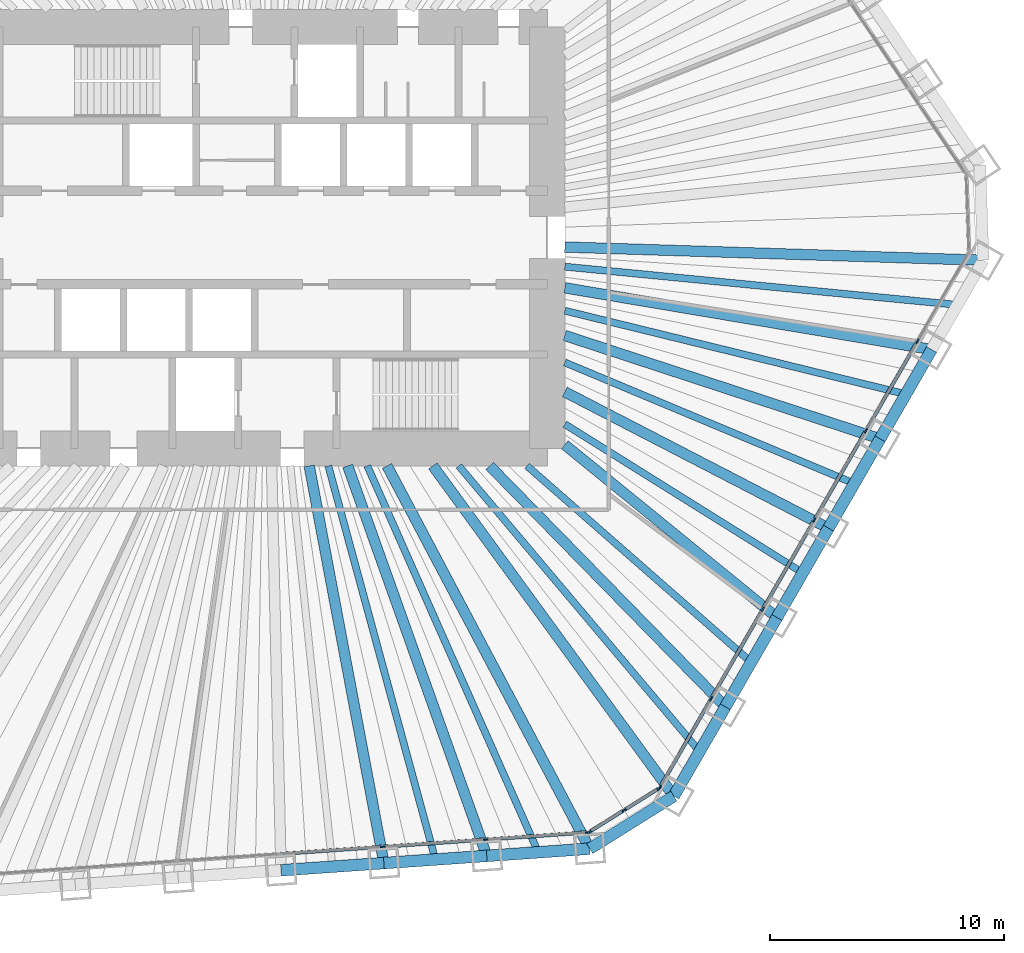
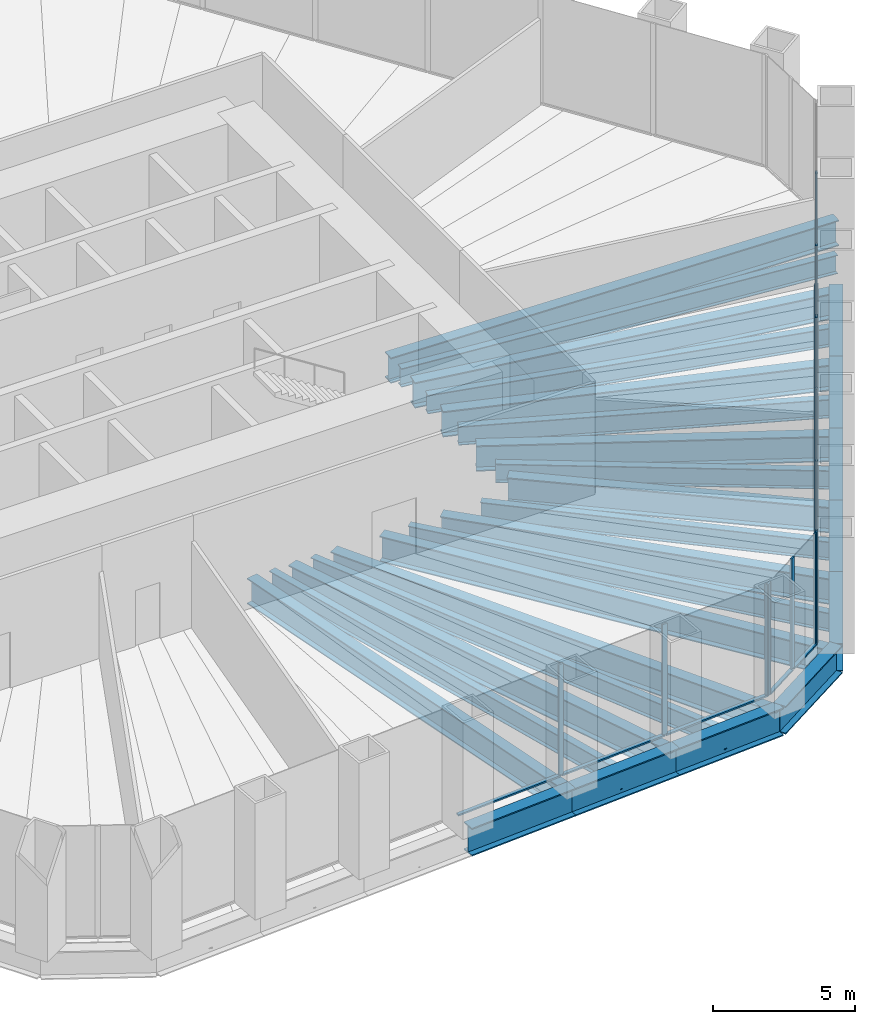
# One storey, part 4 of 13: 27 beams, 22 members, 3 elements without a shape of their own.
"""IFC4 building model written with IfcOpenShell, lengths in metres."""

import ifcopenshell
import ifcopenshell.guid

model = None  # the IFC model being written
_history = None  # IfcOwnerHistory: only IFC2X3 demands one
_inside = {}  # id of a spatial element -> (the spatial element, [elements in it])
_under = {}  # id of a project, library or spatial element -> (it, [spatial elements below it])
_declared = {}  # id of a project -> (the project, [libraries it declares])
_typed = {}  # id of a type object -> (the type object, [elements of that type])
_made_of = {}  # id of a material, layer set ... -> (it, [elements and type objects made of it])


def new_model(schema):
    """Start an empty IFC model of exactly this schema.

    Asked for "IFC4X3", IfcOpenShell would pick the latest addendum, in which some entities
    have other attributes; the version numbers below select the first issue.
    IFC2X3 requires an IfcOwnerHistory on every rooted entity: one is made here for all.
    """
    global model, _history
    if schema == "IFC4X3":
        model = ifcopenshell.file(schema_version=(4, 3, 0, 0))
    else:
        model = ifcopenshell.file(schema=schema)
    _inside.clear()
    _under.clear()
    _declared.clear()
    _typed.clear()
    _made_of.clear()
    _history = None
    if model.schema == "IFC2X3":
        org = make("IfcOrganization", Name="unknown")
        user = make(
            "IfcPersonAndOrganization",
            ThePerson=make("IfcPerson", FamilyName="unknown"),
            TheOrganization=org,
        )
        app = make(
            "IfcApplication",
            ApplicationDeveloper=org,
            Version="unknown",
            ApplicationFullName="unknown",
            ApplicationIdentifier="unknown",
        )
        _history = make(
            "IfcOwnerHistory",
            OwningUser=user,
            OwningApplication=app,
            ChangeAction="ADDED",
            CreationDate=0,
        )
    return model


def make(cls, **values):
    """One entity of the class cls with the attributes given. An attribute that is None is left unset."""
    return model.create_entity(
        cls, **{name: value for name, value in values.items() if value is not None}
    )


def rooted(cls, **values):
    """An entity with a GlobalId (a new one), such as an element, a storey or a relation."""
    return make(cls, GlobalId=ifcopenshell.guid.new(), OwnerHistory=_history, **values)


def si_unit(unit_type, name, prefix=None):
    """IfcSIUnit, for example si_unit("LENGTHUNIT", "METRE", prefix="MILLI")."""
    return make("IfcSIUnit", UnitType=unit_type, Prefix=prefix, Name=name)


def assignment(units):
    """IfcUnitAssignment: the units of a project."""
    return None if units is None else make("IfcUnitAssignment", Units=units)


def point(xyz):
    """IfcCartesianPoint."""
    return None if xyz is None else make("IfcCartesianPoint", Coordinates=xyz)


def direction(xyz):
    """IfcDirection."""
    return None if xyz is None else make("IfcDirection", DirectionRatios=xyz)


def frame(location, z_axis=None, x_axis=None):
    """IfcAxis2Placement3D, a coordinate frame: its origin and axes. An axis left out is left unset."""
    return make(
        "IfcAxis2Placement3D",
        Location=point(location),
        Axis=direction(z_axis),
        RefDirection=direction(x_axis),
    )


def frame_2d(location, x_axis=None):
    """IfcAxis2Placement2D, a coordinate frame in the plane: its origin and x axis."""
    return make(
        "IfcAxis2Placement2D", Location=point(location), RefDirection=direction(x_axis)
    )


def origin():
    """The frame at (0, 0, 0) with its axes left unset."""
    return frame((0.0, 0.0, 0.0))


def origin_2d():
    """The frame at (0, 0) in the plane with its x axis left unset."""
    return frame_2d((0.0, 0.0))


def place(relative_to, where):
    """IfcLocalPlacement: puts the frame where relative to a parent placement (None: the world)."""
    return make(
        "IfcLocalPlacement", PlacementRelTo=relative_to, RelativePlacement=where
    )


def context(
    kind, dimensions, precision=None, world=None, true_north=None, identifier=None
):
    """IfcGeometricRepresentationContext, for example the 3D "Model" context."""
    return make(
        "IfcGeometricRepresentationContext",
        ContextIdentifier=identifier,
        ContextType=kind,
        CoordinateSpaceDimension=dimensions,
        Precision=precision,
        WorldCoordinateSystem=world,
        TrueNorth=true_north,
    )


def subcontext(parent, identifier, kind, view, scale=None):
    """IfcGeometricRepresentationSubContext, for example "Body" below "Model"."""
    return make(
        "IfcGeometricRepresentationSubContext",
        ContextIdentifier=identifier,
        ContextType=kind,
        ParentContext=parent,
        TargetScale=scale,
        TargetView=view,
    )


def project(units=None, contexts=None):
    """IfcProject with its units and contexts."""
    return rooted(
        "IfcProject",
        Name="project",
        RepresentationContexts=contexts,
        UnitsInContext=assignment(units),
    )


def spatial(cls, under=None, at=None, **own):
    """A site, building, storey or space (cls), placed at a placement, below another one or the project."""
    s = rooted(cls, ObjectPlacement=at, **own)
    if under is not None:
        _under.setdefault(under.id(), (under, []))[1].append(s)
    return s


def profile(cls, at=None, kind="AREA", **sizes):
    """A parametric profile (cls). Its sizes go by their IFC names, for example OverallWidth=200.0."""
    return make(cls, ProfileType=kind, Position=at, **sizes)


def rectangle(**sizes):
    """IfcRectangleProfileDef."""
    return profile("IfcRectangleProfileDef", **sizes)


def i_section(**sizes):
    """IfcIShapeProfileDef."""
    return profile("IfcIShapeProfileDef", **sizes)


def extrude(swept, where, along, depth):
    """IfcExtrudedAreaSolid: the profile swept, set in the frame where, extruded along a direction by depth."""
    return make(
        "IfcExtrudedAreaSolid",
        SweptArea=swept,
        Position=where,
        ExtrudedDirection=direction(along),
        Depth=depth,
    )


def shape(context_of_items, identifier, shape_type, items):
    """IfcShapeRepresentation: the items that make up one representation, for example the "Body"."""
    return make(
        "IfcShapeRepresentation",
        ContextOfItems=context_of_items,
        RepresentationIdentifier=identifier,
        RepresentationType=shape_type,
        Items=items,
    )


def material(Name=None, Category=None):
    """IfcMaterial."""
    return make("IfcMaterial", Name=Name, Category=Category)


def material_profile(
    of_material, cross_section, Name=None, Category=None, Priority=None
):
    """IfcMaterialProfile: a cross section and its material."""
    return make(
        "IfcMaterialProfile",
        Name=Name,
        Material=of_material,
        Profile=cross_section,
        Priority=Priority,
        Category=Category,
    )


def profile_set(profiles, Name=None, composite=None):
    """IfcMaterialProfileSet."""
    return make(
        "IfcMaterialProfileSet",
        Name=Name,
        MaterialProfiles=profiles,
        CompositeProfile=composite,
    )


def made_of(thing, what):
    """Note that an element or type object is made of a material, layer set ...; save() writes the relation."""
    if what is not None:
        _made_of.setdefault(what.id(), (what, []))[1].append(thing)
    return thing


def type_object(cls, material=None, **own):
    """A type object (cls), such as IfcWallType, which elements share."""
    return made_of(rooted(cls, **own), material)


def element(
    cls,
    number,
    at=None,
    inside=None,
    cuts=None,
    type_object=None,
    material=None,
    context=None,
    identifier="Body",
    shape_type=None,
    held_by="IfcProductDefinitionShape",
    body=None,
    shapes=None,
    **own,
):
    """One element of the class cls, such as IfcWall. Its Tag is "e" and its number.

    at: its placement. inside: the storey or other place that contains it. cuts: it is an
    opening in that element (IfcRelVoidsElement). A single representation is given by context,
    identifier, shape_type and body (its items); several are given by shapes. held_by: the class
    of the entity that holds the representations. save() writes the other relations.
    """
    e = rooted(cls, Tag="e%d" % number, ObjectPlacement=at, **own)
    if body is not None:
        shapes = [shape(context, identifier, shape_type, body)]
    if shapes is not None:
        e.Representation = make(held_by, Representations=shapes)
    if inside is not None:
        _inside.setdefault(inside.id(), (inside, []))[1].append(e)
    if cuts is not None:
        rooted(
            "IfcRelVoidsElement", RelatingBuildingElement=cuts, RelatedOpeningElement=e
        )
    if type_object is not None:
        _typed.setdefault(type_object.id(), (type_object, []))[1].append(e)
    return made_of(e, material)


def aggregate(whole, parts):
    """IfcRelAggregates: a whole, such as a stair, and the parts it consists of."""
    return rooted("IfcRelAggregates", RelatingObject=whole, RelatedObjects=parts)


def save(model, path):
    """Write the relations noted so far, then the file.

    IfcRelAggregates (storeys below a building ...), IfcRelContainedInSpatialStructure (elements
    in a storey), IfcRelDefinesByType, IfcRelAssociatesMaterial and IfcRelDeclares: one each for
    every whole, place, type object, material and project.
    """
    for whole, parts in _under.values():
        aggregate(whole, parts)
    for where, things in _inside.values():
        rooted(
            "IfcRelContainedInSpatialStructure",
            RelatedElements=things,
            RelatingStructure=where,
        )
    for kind, things in _typed.values():
        rooted("IfcRelDefinesByType", RelatedObjects=things, RelatingType=kind)
    for what, things in _made_of.values():
        rooted("IfcRelAssociatesMaterial", RelatedObjects=things, RelatingMaterial=what)
    for by, libraries in _declared.values():
        rooted("IfcRelDeclares", RelatingContext=by, RelatedDefinitions=libraries)
    model.write(path)


model = new_model("IFC4")

# Units and contexts
model_context = context("Model", 3, precision=1e-05, world=origin(), true_north=direction((0.0, 1.0)))
body_context = subcontext(model_context, "Body", "Model", "MODEL_VIEW")
ifc_project = project(units=[si_unit("LENGTHUNIT", "METRE"), si_unit("AREAUNIT", "SQUARE_METRE"), si_unit("VOLUMEUNIT", "CUBIC_METRE"), si_unit("PLANEANGLEUNIT", "RADIAN"), si_unit("MASSUNIT", "GRAM", prefix="KILO")], contexts=[model_context])

# Site, building, storey
site_placement = place(None, origin())
site = spatial("IfcSite", under=ifc_project, at=site_placement, CompositionType="ELEMENT")
building_placement = place(site_placement, origin())
building = spatial("IfcBuilding", under=site, at=building_placement, Name="Qingtian Harvest Tower", CompositionType="ELEMENT")
storey_placement = place(building_placement, frame((0.0, 0.0, 37.0)))
storey = spatial("IfcBuildingStorey", under=building, at=storey_placement, Name="L07", CompositionType="ELEMENT", Elevation=37.0)

# Beams
ifc_material_1 = material(Name="Steel SM570MC", Category="steel")
ifc_material_profile_1 = material_profile(ifc_material_1, i_section(OverallWidth=0.449951171875, OverallDepth=1.10009765625, WebThickness=0.02197265625, FlangeThickness=0.044921875, at=origin_2d()), Name="H1100x450x22x45")
ifc_profile_set_1 = profile_set([ifc_material_profile_1], Name="Steel SM570MC")
beam_type_1 = type_object("IfcBeamType", Name="Corner floor beam FB8 H1100x450x22x45", PredefinedType="BEAM", material=ifc_profile_set_1)
beam_1_placement = place(storey_placement, frame((30.618408203125, -0.96728515625, -0.75), z_axis=(-0.999501426546, 0.031573696842, 0.0), x_axis=(-0.031573696842, -0.999501426546, 0.0)))
element("IfcBeam", 1, at=beam_1_placement, inside=storey, type_object=beam_type_1, Name="Floor beam FB8 SE0", PredefinedType="BEAM", context=body_context, shape_type="SweptSolid", body=[
    extrude(i_section(OverallWidth=0.449951171875, OverallDepth=1.10009765625, WebThickness=0.02197265625, FlangeThickness=0.044921875, at=origin_2d()), origin(), (0.0, 0.0, 1.0), 17.87744140625),
])
beam_2_placement = place(storey_placement, frame((17.404541015625, -23.854248046875, -0.75), z_axis=(-0.58941234871, 0.807832336062, 0.0), x_axis=(-0.807832336062, -0.58941234871, 0.0)))
element("IfcBeam", 2, at=beam_2_placement, inside=storey, type_object=beam_type_1, Name="Floor beam FB8 SE6", PredefinedType="BEAM", context=body_context, shape_type="SweptSolid", body=[
    extrude(i_section(OverallWidth=0.449951171875, OverallDepth=1.10009765625, WebThickness=0.02197265625, FlangeThickness=0.044921875, at=origin_2d()), origin(), (0.0, 0.0, 1.0), 17.45947265625),
])
beam_3_placement = place(storey_placement, frame((13.810546875, -26.10009765625, -0.75), z_axis=(-0.467705182679, 0.883884529843, 0.0), x_axis=(-0.883884529843, -0.467705182679, 0.0)))
element("IfcBeam", 3, at=beam_3_placement, inside=storey, type_object=beam_type_1, Name="Floor beam FB8 S0", PredefinedType="BEAM", context=body_context, shape_type="SweptSolid", body=[
    extrude(i_section(OverallWidth=0.449951171875, OverallDepth=1.10009765625, WebThickness=0.02197265625, FlangeThickness=0.044921875, at=origin_2d()), origin(), (0.0, 0.0, 1.0), 18.498046875),
])
ifc_material_2 = material(Name="Steel SM570MC", Category="steel")
ifc_material_profile_2 = material_profile(ifc_material_2, i_section(OverallWidth=0.449951171875, OverallDepth=1.10009765625, WebThickness=0.02197265625, FlangeThickness=0.044921875, at=origin_2d()), Name="H1100x450x22x45")
ifc_profile_set_2 = profile_set([ifc_material_profile_2], Name="Steel SM570MC")
beam_type_2 = type_object("IfcBeamType", Name="Floor beam FB1 H1100x450x22x45", PredefinedType="BEAM", material=ifc_profile_set_2)
beam_4_placement = place(storey_placement, frame((28.416015625, -4.78173828125, -0.75), z_axis=(-0.986135195489, 0.16594389479, 0.0), x_axis=(-0.16594389479, -0.986135195489, 0.0)))
element("IfcBeam", 4, at=beam_4_placement, inside=storey, type_object=beam_type_2, Name="Floor beam FB1 SE1", PredefinedType="BEAM", context=body_context, shape_type="SweptSolid", body=[
    extrude(i_section(OverallWidth=0.449951171875, OverallDepth=1.10009765625, WebThickness=0.02197265625, FlangeThickness=0.044921875, at=origin_2d()), origin(), (0.0, 0.0, 1.0), 15.88623046875),
])
beam_5_placement = place(storey_placement, frame((26.2138671875, -8.596435546875, -0.75), z_axis=(-0.950210724421, 0.311608053803, 0.0), x_axis=(-0.311608053803, -0.950210724421, 0.0)))
element("IfcBeam", 5, at=beam_5_placement, inside=storey, type_object=beam_type_2, Name="Floor beam FB1 SE2", PredefinedType="BEAM", context=body_context, shape_type="SweptSolid", body=[
    extrude(i_section(OverallWidth=0.449951171875, OverallDepth=1.10009765625, WebThickness=0.02197265625, FlangeThickness=0.044921875, at=origin_2d()), origin(), (0.0, 0.0, 1.0), 14.16943359375),
])
beam_6_placement = place(storey_placement, frame((24.011474609375, -12.410888671875, -0.75), z_axis=(-0.888349581519, 0.45916774823, 0.0), x_axis=(-0.45916774823, -0.888349581519, 0.0)))
element("IfcBeam", 6, at=beam_6_placement, inside=storey, type_object=beam_type_2, Name="Floor beam FB1 SE3", PredefinedType="BEAM", context=body_context, shape_type="SweptSolid", body=[
    extrude(i_section(OverallWidth=0.449951171875, OverallDepth=1.10009765625, WebThickness=0.02197265625, FlangeThickness=0.044921875, at=origin_2d()), origin(), (0.0, 0.0, 1.0), 12.6767578125),
])
beam_7_placement = place(storey_placement, frame((21.809326171875, -16.225341796875, -0.75), z_axis=(-0.775504415669, 0.631342142802, 0.0), x_axis=(-0.631342142802, -0.775504415669, 0.0)))
element("IfcBeam", 7, at=beam_7_placement, inside=storey, type_object=beam_type_2, Name="Floor beam FB1 SE4", PredefinedType="BEAM", context=body_context, shape_type="SweptSolid", body=[
    extrude(i_section(OverallWidth=0.449951171875, OverallDepth=1.10009765625, WebThickness=0.02197265625, FlangeThickness=0.044921875, at=origin_2d()), origin(), (0.0, 0.0, 1.0), 11.681884765625),
])
beam_8_placement = place(storey_placement, frame((19.60693359375, -20.039794921875, -0.75), z_axis=(-0.699348221539, 0.714781130858, 0.0), x_axis=(-0.714781130858, -0.699348221539, 0.0)))
element("IfcBeam", 8, at=beam_8_placement, inside=storey, type_object=beam_type_2, Name="Floor beam FB1 SE5", PredefinedType="BEAM", context=body_context, shape_type="SweptSolid", body=[
    extrude(i_section(OverallWidth=0.449951171875, OverallDepth=1.10009765625, WebThickness=0.02197265625, FlangeThickness=0.044921875, at=origin_2d()), origin(), (0.0, 0.0, 1.0), 14.395751953125),
])
beam_9_placement = place(storey_placement, frame((9.41650390625, -26.407470703125, -0.75), z_axis=(-0.33586498155, 0.941910141239, 0.0), x_axis=(-0.941910141239, -0.33586498155, 0.0)))
element("IfcBeam", 9, at=beam_9_placement, inside=storey, type_object=beam_type_2, Name="Floor beam FB1 S1", PredefinedType="BEAM", context=body_context, shape_type="SweptSolid", body=[
    extrude(i_section(OverallWidth=0.449951171875, OverallDepth=1.10009765625, WebThickness=0.02197265625, FlangeThickness=0.044921875, at=origin_2d()), origin(), (0.0, 0.0, 1.0), 17.684814453125),
])
beam_10_placement = place(storey_placement, frame((5.022705078125, -26.714599609375, -0.75), z_axis=(-0.184782942099, 0.98277935688, 0.0), x_axis=(-0.98277935688, -0.184782942099, 0.0)))
element("IfcBeam", 10, at=beam_10_placement, inside=storey, type_object=beam_type_2, Name="Floor beam FB1 S2", PredefinedType="BEAM", context=body_context, shape_type="SweptSolid", body=[
    extrude(i_section(OverallWidth=0.449951171875, OverallDepth=1.10009765625, WebThickness=0.02197265625, FlangeThickness=0.044921875, at=origin_2d()), origin(), (0.0, 0.0, 1.0), 17.261962890625),
])
ifc_material_3 = material(Name="Steel SN490B", Category="steel")
ifc_material_profile_3 = material_profile(ifc_material_3, i_section(OverallWidth=0.300048828125, OverallDepth=0.800048828125, WebThickness=0.013916015625, FlangeThickness=0.02587890625, at=origin_2d()), Name="H800x300x14x26")
ifc_profile_set_3 = profile_set([ifc_material_profile_3], Name="Steel SN490B")
beam_type_3 = type_object("IfcBeamType", Name="Floor joist J1 H800x300x14x26", PredefinedType="JOIST", material=ifc_profile_set_3)
beam_11_placement = place(storey_placement, frame((29.517333984375, -2.87451171875, -0.60009765625), z_axis=(-0.995291970786, 0.096922097011, 0.0), x_axis=(-0.096922097011, -0.995291970786, 0.0)))
element("IfcBeam", 11, at=beam_11_placement, inside=storey, type_object=beam_type_3, Name="Floor joist J1 SE0", PredefinedType="JOIST", context=body_context, shape_type="SweptSolid", body=[
    extrude(i_section(OverallWidth=0.300048828125, OverallDepth=0.800048828125, WebThickness=0.013916015625, FlangeThickness=0.02587890625, at=origin_2d()), origin(), (0.0, 0.0, 1.0), 16.8466796875),
])
beam_12_placement = place(storey_placement, frame((27.31494140625, -6.68896484375, -0.60009765625), z_axis=(-0.971301533706, 0.237851488583, 0.0), x_axis=(-0.237851488583, -0.971301533706, 0.0)))
element("IfcBeam", 12, at=beam_12_placement, inside=storey, type_object=beam_type_3, Name="Floor joist J1 SE1", PredefinedType="JOIST", context=body_context, shape_type="SweptSolid", body=[
    extrude(i_section(OverallWidth=0.300048828125, OverallDepth=0.800048828125, WebThickness=0.013916015625, FlangeThickness=0.02587890625, at=origin_2d()), origin(), (0.0, 0.0, 1.0), 14.995361328125),
])
beam_13_placement = place(storey_placement, frame((25.112548828125, -10.503662109375, -0.60009765625), z_axis=(-0.922550516103, 0.385876334125, 0.0), x_axis=(-0.385876334125, -0.922550516103, 0.0)))
element("IfcBeam", 13, at=beam_13_placement, inside=storey, type_object=beam_type_3, Name="Floor joist J1 SE2", PredefinedType="JOIST", context=body_context, shape_type="SweptSolid", body=[
    extrude(i_section(OverallWidth=0.300048828125, OverallDepth=0.800048828125, WebThickness=0.013916015625, FlangeThickness=0.02587890625, at=origin_2d()), origin(), (0.0, 0.0, 1.0), 13.400390625),
])
beam_14_placement = place(storey_placement, frame((22.910400390625, -14.318115234375, -0.60009765625), z_axis=(-0.848013185461, 0.52997512893, 0.0), x_axis=(-0.52997512893, -0.848013185461, 0.0)))
element("IfcBeam", 14, at=beam_14_placement, inside=storey, type_object=beam_type_3, Name="Floor joist J1 SE3", PredefinedType="JOIST", context=body_context, shape_type="SweptSolid", body=[
    extrude(i_section(OverallWidth=0.300048828125, OverallDepth=0.800048828125, WebThickness=0.013916015625, FlangeThickness=0.02587890625, at=origin_2d()), origin(), (0.0, 0.0, 1.0), 11.9814453125),
])
beam_15_placement = place(storey_placement, frame((20.7080078125, -18.132568359375, -0.60009765625), z_axis=(-0.75234369212, 0.658770801514, 0.0), x_axis=(-0.658770801514, -0.75234369212, 0.0)))
element("IfcBeam", 15, at=beam_15_placement, inside=storey, type_object=beam_type_3, Name="Floor joist J1 SE4", PredefinedType="JOIST", context=body_context, shape_type="SweptSolid", body=[
    extrude(i_section(OverallWidth=0.300048828125, OverallDepth=0.800048828125, WebThickness=0.013916015625, FlangeThickness=0.02587890625, at=origin_2d()), origin(), (0.0, 0.0, 1.0), 12.724609375),
])
beam_16_placement = place(storey_placement, frame((18.505859375, -21.947021484375, -0.60009765625), z_axis=(-0.644630398038, 0.76449437534, 0.0), x_axis=(-0.76449437534, -0.644630398038, 0.0)))
element("IfcBeam", 16, at=beam_16_placement, inside=storey, type_object=beam_type_3, Name="Floor joist J1 SE5", PredefinedType="JOIST", context=body_context, shape_type="SweptSolid", body=[
    extrude(i_section(OverallWidth=0.300048828125, OverallDepth=0.800048828125, WebThickness=0.013916015625, FlangeThickness=0.02587890625, at=origin_2d()), origin(), (0.0, 0.0, 1.0), 15.954345703125),
])
beam_17_placement = place(storey_placement, frame((11.613525390625, -26.25390625, -0.60009765625), z_axis=(-0.404539958959, 0.914520323233, 0.0), x_axis=(-0.914520323233, -0.404539958959, 0.0)))
element("IfcBeam", 17, at=beam_17_placement, inside=storey, type_object=beam_type_3, Name="Floor joist J1 S0", PredefinedType="JOIST", context=body_context, shape_type="SweptSolid", body=[
    extrude(i_section(OverallWidth=0.300048828125, OverallDepth=0.800048828125, WebThickness=0.013916015625, FlangeThickness=0.02587890625, at=origin_2d()), origin(), (0.0, 0.0, 1.0), 18.046630859375),
])
beam_18_placement = place(storey_placement, frame((7.2197265625, -26.56103515625, -0.60009765625), z_axis=(-0.262302659247, 0.964985655309, 0.0), x_axis=(-0.964985655309, -0.262302659247, 0.0)))
element("IfcBeam", 18, at=beam_18_placement, inside=storey, type_object=beam_type_3, Name="Floor joist J1 S1", PredefinedType="JOIST", context=body_context, shape_type="SweptSolid", body=[
    extrude(i_section(OverallWidth=0.300048828125, OverallDepth=0.800048828125, WebThickness=0.013916015625, FlangeThickness=0.02587890625, at=origin_2d()), origin(), (0.0, 0.0, 1.0), 17.421142578125),
])

# Curtain wall, members
ifc_material_4 = material(Name="Bronze-anodised aluminium curtain wall", Category="aluminium")
curtain_wall_type = type_object("IfcCurtainWallType", Name="Curtain wall CW2 farm reception", PredefinedType="USERDEFINED", material=ifc_material_4)
curtain_wall_1_placement = place(storey_placement, origin())
curtain_wall_1 = element("IfcCurtainWall", 19, at=curtain_wall_1_placement, inside=storey, type_object=curtain_wall_type, Name="Curtain wall CW2 L07 SE0-5", ObjectType="RECESSED CURTAIN WALL", PredefinedType="USERDEFINED")
ifc_material_5 = material(Name="Bronze-anodised aluminium mullion", Category="aluminium")
ifc_material_profile_4 = material_profile(ifc_material_5, rectangle(XDim=0.06494140625, YDim=0.199951171875, at=origin_2d()), Name="AL 65x200")
ifc_profile_set_4 = profile_set([ifc_material_profile_4], Name="Bronze-anodised aluminium mullion")
member_type_1 = type_object("IfcMemberType", Name="Mullion CWM 65x200", PredefinedType="MULLION", material=ifc_profile_set_4)
member_1_placement = place(storey_placement, frame((27.809814453125, -4.431884765625, 0.0), z_axis=(0.0, 0.0, 1.0), x_axis=(0.866025403784, -0.5, 0.0)))
member_1 = element("IfcMember", 20, at=member_1_placement, type_object=member_type_1, Name="CW2 mullion 2", PredefinedType="MULLION", context=body_context, shape_type="SweptSolid", body=[
    extrude(rectangle(XDim=0.06494140625, YDim=0.199951171875, at=origin_2d()), origin(), (0.0, 0.0, 1.0), 4.800048828125),
])
member_2_placement = place(storey_placement, frame((25.607666015625, -8.246337890625, 0.0), z_axis=(0.0, 0.0, 1.0), x_axis=(0.866025403784, -0.5, 0.0)))
member_2 = element("IfcMember", 21, at=member_2_placement, type_object=member_type_1, Name="CW2 mullion 3", PredefinedType="MULLION", context=body_context, shape_type="SweptSolid", body=[
    extrude(rectangle(XDim=0.06494140625, YDim=0.199951171875, at=origin_2d()), origin(), (0.0, 0.0, 1.0), 4.800048828125),
])
member_3_placement = place(storey_placement, frame((23.4052734375, -12.060791015625, 0.0), z_axis=(0.0, 0.0, 1.0), x_axis=(0.866025403784, -0.5, 0.0)))
member_3 = element("IfcMember", 22, at=member_3_placement, type_object=member_type_1, Name="CW2 mullion 4", PredefinedType="MULLION", context=body_context, shape_type="SweptSolid", body=[
    extrude(rectangle(XDim=0.06494140625, YDim=0.199951171875, at=origin_2d()), origin(), (0.0, 0.0, 1.0), 4.800048828125),
])
member_4_placement = place(storey_placement, frame((21.202880859375, -15.875244140625, 0.0), z_axis=(0.0, 0.0, 1.0), x_axis=(0.866025403784, -0.5, 0.0)))
member_4 = element("IfcMember", 23, at=member_4_placement, type_object=member_type_1, Name="CW2 mullion 5", PredefinedType="MULLION", context=body_context, shape_type="SweptSolid", body=[
    extrude(rectangle(XDim=0.06494140625, YDim=0.199951171875, at=origin_2d()), origin(), (0.0, 0.0, 1.0), 4.800048828125),
])
member_5_placement = place(storey_placement, frame((19.000732421875, -19.68994140625, 0.0), z_axis=(0.0, 0.0, 1.0), x_axis=(0.866025403784, -0.5, 0.0)))
member_5 = element("IfcMember", 24, at=member_5_placement, type_object=member_type_1, Name="CW2 mullion 6", PredefinedType="MULLION", context=body_context, shape_type="SweptSolid", body=[
    extrude(rectangle(XDim=0.06494140625, YDim=0.199951171875, at=origin_2d()), origin(), (0.0, 0.0, 1.0), 4.800048828125),
])
member_6_placement = place(storey_placement, frame((16.814697265625, -23.47607421875, 0.0), z_axis=(0.0, 0.0, 1.0), x_axis=(0.866025403784, -0.5, 0.0)))
member_6 = element("IfcMember", 25, at=member_6_placement, type_object=member_type_1, Name="CW2 mullion 7", PredefinedType="MULLION", context=body_context, shape_type="SweptSolid", body=[
    extrude(rectangle(XDim=0.06494140625, YDim=0.199951171875, at=origin_2d()), origin(), (0.0, 0.0, 1.0), 4.800048828125),
])

curtain_wall_2_placement = place(storey_placement, origin())
curtain_wall_2 = element("IfcCurtainWall", 26, at=curtain_wall_2_placement, inside=storey, type_object=curtain_wall_type, Name="Curtain wall CW2 L07 SEC", ObjectType="RECESSED CURTAIN WALL", PredefinedType="USERDEFINED")
member_7_placement = place(storey_placement, frame((16.770751953125, -23.521484375, 0.0), z_axis=(0.0, 0.0, 1.0), x_axis=(0.529919264233, -0.848048096156, 0.0)))
member_7 = element("IfcMember", 27, at=member_7_placement, type_object=member_type_1, Name="CW2 mullion 1", PredefinedType="MULLION", context=body_context, shape_type="SweptSolid", body=[
    extrude(rectangle(XDim=0.06494140625, YDim=0.199951171875, at=origin_2d()), origin(), (0.0, 0.0, 1.0), 4.800048828125),
])
member_8_placement = place(storey_placement, frame((15.280029296875, -24.453125, 0.0), z_axis=(0.0, 0.0, 1.0), x_axis=(0.529919264233, -0.848048096156, 0.0)))
member_8 = element("IfcMember", 28, at=member_8_placement, type_object=member_type_1, Name="CW2 mullion 2", PredefinedType="MULLION", context=body_context, shape_type="SweptSolid", body=[
    extrude(rectangle(XDim=0.06494140625, YDim=0.199951171875, at=origin_2d()), origin(), (0.0, 0.0, 1.0), 4.800048828125),
])
member_9_placement = place(storey_placement, frame((13.789306640625, -25.384765625, 0.0), z_axis=(0.0, 0.0, 1.0), x_axis=(0.529919264233, -0.848048096156, 0.0)))
member_9 = element("IfcMember", 29, at=member_9_placement, type_object=member_type_1, Name="CW2 mullion 3", PredefinedType="MULLION", context=body_context, shape_type="SweptSolid", body=[
    extrude(rectangle(XDim=0.06494140625, YDim=0.199951171875, at=origin_2d()), origin(), (0.0, 0.0, 1.0), 4.800048828125),
])

curtain_wall_3_placement = place(storey_placement, origin())
curtain_wall_3 = element("IfcCurtainWall", 30, at=curtain_wall_3_placement, inside=storey, type_object=curtain_wall_type, Name="Curtain wall CW2 L07 S0-5", ObjectType="RECESSED CURTAIN WALL", PredefinedType="USERDEFINED")
member_10_placement = place(storey_placement, frame((13.729248046875, -25.404296875, 0.0), z_axis=(0.0, 0.0, 1.0), x_axis=(0.069756473744, -0.99756405026, 0.0)))
member_10 = element("IfcMember", 31, at=member_10_placement, type_object=member_type_1, Name="CW2 mullion 1", PredefinedType="MULLION", context=body_context, shape_type="SweptSolid", body=[
    extrude(rectangle(XDim=0.06494140625, YDim=0.199951171875, at=origin_2d()), origin(), (0.0, 0.0, 1.0), 4.800048828125),
])
member_11_placement = place(storey_placement, frame((9.36767578125, -25.709228515625, 0.0), z_axis=(0.0, 0.0, 1.0), x_axis=(0.069756473744, -0.99756405026, 0.0)))
member_11 = element("IfcMember", 32, at=member_11_placement, type_object=member_type_1, Name="CW2 mullion 2", PredefinedType="MULLION", context=body_context, shape_type="SweptSolid", body=[
    extrude(rectangle(XDim=0.06494140625, YDim=0.199951171875, at=origin_2d()), origin(), (0.0, 0.0, 1.0), 4.800048828125),
])
member_12_placement = place(storey_placement, frame((4.973876953125, -26.016357421875, 0.0), z_axis=(0.0, 0.0, 1.0), x_axis=(0.069756473744, -0.99756405026, 0.0)))
member_12 = element("IfcMember", 33, at=member_12_placement, type_object=member_type_1, Name="CW2 mullion 3", PredefinedType="MULLION", context=body_context, shape_type="SweptSolid", body=[
    extrude(rectangle(XDim=0.06494140625, YDim=0.199951171875, at=origin_2d()), origin(), (0.0, 0.0, 1.0), 4.800048828125),
])

# Beams
ifc_material_6 = material(Name="Steel SM570MC", Category="steel")
ifc_material_profile_5 = material_profile(ifc_material_6, i_section(OverallWidth=0.5, OverallDepth=1.199951171875, WebThickness=0.02490234375, FlangeThickness=0.050048828125, at=origin_2d()), Name="H1200x500x25x50")
ifc_profile_set_5 = profile_set([ifc_material_profile_5], Name="Steel SM570MC")
beam_type_4 = type_object("IfcBeamType", Name="Spandrel beam SB1 H1200x500x25x50", PredefinedType="SPANDREL", material=ifc_profile_set_5)
beam_19_placement = place(storey_placement, frame((28.416015625, -4.78173828125, -0.60009765625), z_axis=(-0.499954356739, -0.86605175433, 0.0), x_axis=(0.86605175433, -0.499954356739, 0.0)))
element("IfcBeam", 34, at=beam_19_placement, inside=storey, type_object=beam_type_4, Name="Spandrel SB1 SE1", PredefinedType="SPANDREL", context=body_context, shape_type="SweptSolid", body=[
    extrude(i_section(OverallWidth=0.5, OverallDepth=1.199951171875, WebThickness=0.02490234375, FlangeThickness=0.050048828125, at=origin_2d()), origin(), (0.0, 0.0, 1.0), 4.40478515625),
])
for number, where, z_axis, x_axis, name in (
    (35, (26.2138671875, -8.596435546875, -0.60009765625), (-0.50001992892, -0.866013897511, 0.0), (0.866013897511, -0.50001992892, 0.0), "Spandrel SB1 SE2"),
    (36, (24.011474609375, -12.410888671875, -0.60009765625), (-0.499978356969, -0.866037899034, 0.0), (0.866037899034, -0.499978356969, 0.0), "Spandrel SB1 SE3"),
    (37, (21.809326171875, -16.225341796875, -0.60009765625), (-0.50001992892, -0.866013897511, 0.0), (0.866013897511, -0.50001992892, 0.0), "Spandrel SB1 SE4"),
    (38, (19.60693359375, -20.039794921875, -0.60009765625), (-0.50001992892, -0.866013897511, 0.0), (0.866013897511, -0.50001992892, 0.0), "Spandrel SB1 SE5"),
):
    element("IfcBeam", number, at=place(storey_placement, frame(where, z_axis=z_axis, x_axis=x_axis)), inside=storey, type_object=beam_type_4, Name=name, PredefinedType="SPANDREL", context=body_context, shape_type="SweptSolid", body=[
        extrude(i_section(OverallWidth=0.5, OverallDepth=1.199951171875, WebThickness=0.02490234375, FlangeThickness=0.050048828125, at=origin_2d()), origin(), (0.0, 0.0, 1.0), 4.404541015625),
    ])
beam_20_placement = place(storey_placement, frame((17.404541015625, -23.854248046875, -0.60009765625), z_axis=(-0.848040374245, -0.529931621675, 0.0), x_axis=(0.529931621675, -0.848040374245, 0.0)))
element("IfcBeam", 39, at=beam_20_placement, inside=storey, type_object=beam_type_4, Name="Spandrel SB1 SEC", PredefinedType="SPANDREL", context=body_context, shape_type="SweptSolid", body=[
    extrude(i_section(OverallWidth=0.5, OverallDepth=1.199951171875, WebThickness=0.02490234375, FlangeThickness=0.050048828125, at=origin_2d()), origin(), (0.0, 0.0, 1.0), 4.238037109375),
])
beam_21_placement = place(storey_placement, frame((13.810546875, -26.10009765625, -0.60009765625), z_axis=(-0.997562286406, -0.069781693443, 0.0), x_axis=(0.069781693443, -0.997562286406, 0.0)))
element("IfcBeam", 40, at=beam_21_placement, inside=storey, type_object=beam_type_4, Name="Spandrel SB1 S0", PredefinedType="SPANDREL", context=body_context, shape_type="SweptSolid", body=[
    extrude(i_section(OverallWidth=0.5, OverallDepth=1.199951171875, WebThickness=0.02490234375, FlangeThickness=0.050048828125, at=origin_2d()), origin(), (0.0, 0.0, 1.0), 4.40478515625),
])
for number, where, z_axis, x_axis, name in (
    (41, (9.41650390625, -26.407470703125, -0.60009765625), (-0.997565873714, -0.069730392239, 0.0), (0.069730392239, -0.997565873714, 0.0), "Spandrel SB1 S1"),
    (42, (5.022705078125, -26.714599609375, -0.60009765625), (-0.997562016486, -0.069785551967, 0.0), (0.069785551967, -0.997562016486, 0.0), "Spandrel SB1 S2"),
):
    element("IfcBeam", number, at=place(storey_placement, frame(where, z_axis=z_axis, x_axis=x_axis)), inside=storey, type_object=beam_type_4, Name=name, PredefinedType="SPANDREL", context=body_context, shape_type="SweptSolid", body=[
        extrude(i_section(OverallWidth=0.5, OverallDepth=1.199951171875, WebThickness=0.02490234375, FlangeThickness=0.050048828125, at=origin_2d()), origin(), (0.0, 0.0, 1.0), 4.404541015625),
    ])

# Member
ifc_material_7 = material(Name="Bronze-anodised aluminium transom", Category="aluminium")
ifc_material_profile_6 = material_profile(ifc_material_7, rectangle(XDim=0.14990234375, YDim=0.06494140625, at=origin_2d()), Name="AL 65x150")
ifc_profile_set_6 = profile_set([ifc_material_profile_6], Name="Bronze-anodised aluminium transom")
member_type_2 = type_object("IfcMemberType", Name="Transom CWT 65x150", PredefinedType="USERDEFINED", material=ifc_profile_set_6)
member_13_placement = place(storey_placement, frame((27.793701171875, -4.4599609375, 0.032470703125), z_axis=(-0.500011390128, -0.866018827591, 0.0), x_axis=(0.866018827591, -0.500011390128, 0.0)))
member_13 = element("IfcMember", 43, at=member_13_placement, type_object=member_type_2, Name="CW2 transom 2.1", ObjectType="TRANSOM", PredefinedType="USERDEFINED", context=body_context, shape_type="SweptSolid", body=[
    extrude(rectangle(XDim=0.14990234375, YDim=0.06494140625, at=origin_2d()), origin(), (0.0, 0.0, 1.0), 4.33984375),
])

member_14_placement = place(storey_placement, frame((25.59130859375, -8.2744140625, 0.032470703125), z_axis=(-0.499969196308, -0.866043187574, 0.0), x_axis=(0.866043187574, -0.499969196308, 0.0)))
member_14 = element("IfcMember", 44, at=member_14_placement, type_object=member_type_2, Name="CW2 transom 3.1", ObjectType="TRANSOM", PredefinedType="USERDEFINED", context=body_context, shape_type="SweptSolid", body=[
    extrude(rectangle(XDim=0.14990234375, YDim=0.06494140625, at=origin_2d()), origin(), (0.0, 0.0, 1.0), 4.339599609375),
])

member_15_placement = place(storey_placement, frame((23.38916015625, -12.0888671875, 0.032470703125), z_axis=(-0.500011390128, -0.866018827591, 0.0), x_axis=(0.866018827591, -0.500011390128, 0.0)))
member_15 = element("IfcMember", 45, at=member_15_placement, type_object=member_type_2, Name="CW2 transom 4.1", ObjectType="TRANSOM", PredefinedType="USERDEFINED", context=body_context, shape_type="SweptSolid", body=[
    extrude(rectangle(XDim=0.14990234375, YDim=0.06494140625, at=origin_2d()), origin(), (0.0, 0.0, 1.0), 4.33984375),
])

member_16_placement = place(storey_placement, frame((21.186767578125, -15.903564453125, 0.032470703125), z_axis=(-0.500035751442, -0.866004761696, 0.0), x_axis=(0.866004761696, -0.500035751442, 0.0)))
member_16 = element("IfcMember", 46, at=member_16_placement, type_object=member_type_2, Name="CW2 transom 5.1", ObjectType="TRANSOM", PredefinedType="USERDEFINED", context=body_context, shape_type="SweptSolid", body=[
    extrude(rectangle(XDim=0.14990234375, YDim=0.06494140625, at=origin_2d()), origin(), (0.0, 0.0, 1.0), 4.339599609375),
])

member_17_placement = place(storey_placement, frame((18.984375, -19.718017578125, 0.032470703125), z_axis=(-0.500010313095, -0.866019449435, 0.0), x_axis=(0.866019449435, -0.500010313095, 0.0)))
member_17 = element("IfcMember", 47, at=member_17_placement, type_object=member_type_2, Name="CW2 transom 6.1", ObjectType="TRANSOM", PredefinedType="USERDEFINED", context=body_context, shape_type="SweptSolid", body=[
    extrude(rectangle(XDim=0.14990234375, YDim=0.06494140625, at=origin_2d()), origin(), (0.0, 0.0, 1.0), 4.30712890625),
])

aggregate(curtain_wall_1, [member_1, member_2, member_3, member_4, member_5, member_6, member_13, member_14, member_15, member_16, member_17])

member_18_placement = place(storey_placement, frame((16.7431640625, -23.538818359375, 0.032470703125), z_axis=(-0.848063119425, -0.529895221219, 0.0), x_axis=(0.529895221219, -0.848063119425, 0.0)))
member_18 = element("IfcMember", 48, at=member_18_placement, type_object=member_type_2, Name="CW2 transom 1.1", ObjectType="TRANSOM", PredefinedType="USERDEFINED", context=body_context, shape_type="SweptSolid", body=[
    extrude(rectangle(XDim=0.14990234375, YDim=0.06494140625, at=origin_2d()), origin(), (0.0, 0.0, 1.0), 1.692626953125),
])

member_19_placement = place(storey_placement, frame((15.25244140625, -24.470458984375, 0.032470703125), z_axis=(-0.848103609743, -0.529830413568, 0.0), x_axis=(0.529830413568, -0.848103609743, 0.0)))
member_19 = element("IfcMember", 49, at=member_19_placement, type_object=member_type_2, Name="CW2 transom 2.1", ObjectType="TRANSOM", PredefinedType="USERDEFINED", context=body_context, shape_type="SweptSolid", body=[
    extrude(rectangle(XDim=0.14990234375, YDim=0.06494140625, at=origin_2d()), origin(), (0.0, 0.0, 1.0), 1.69287109375),
])

aggregate(curtain_wall_2, [member_7, member_8, member_9, member_18, member_19])

member_20_placement = place(storey_placement, frame((13.69677734375, -25.406494140625, 0.032470703125), z_axis=(-0.997566581753, -0.069720262262, 0.0), x_axis=(0.069720262262, -0.997566581753, 0.0)))
member_20 = element("IfcMember", 50, at=member_20_placement, type_object=member_type_2, Name="CW2 transom 1.1", ObjectType="TRANSOM", PredefinedType="USERDEFINED", context=body_context, shape_type="SweptSolid", body=[
    extrude(rectangle(XDim=0.14990234375, YDim=0.06494140625, at=origin_2d()), origin(), (0.0, 0.0, 1.0), 4.30712890625),
])

member_21_placement = place(storey_placement, frame((9.33544921875, -25.71142578125, 0.032470703125), z_axis=(-0.997563824095, -0.069759707979, 0.0), x_axis=(0.069759707979, -0.997563824095, 0.0)))
member_21 = element("IfcMember", 51, at=member_21_placement, type_object=member_type_2, Name="CW2 transom 2.1", ObjectType="TRANSOM", PredefinedType="USERDEFINED", context=body_context, shape_type="SweptSolid", body=[
    extrude(rectangle(XDim=0.14990234375, YDim=0.06494140625, at=origin_2d()), origin(), (0.0, 0.0, 1.0), 4.339599609375),
])

member_22_placement = place(storey_placement, frame((4.94140625, -26.018798828125, 0.032470703125), z_axis=(-0.997567737508, -0.069703723594, 0.0), x_axis=(0.069703723594, -0.997567737508, 0.0)))
member_22 = element("IfcMember", 52, at=member_22_placement, type_object=member_type_2, Name="CW2 transom 3.1", ObjectType="TRANSOM", PredefinedType="USERDEFINED", context=body_context, shape_type="SweptSolid", body=[
    extrude(rectangle(XDim=0.14990234375, YDim=0.06494140625, at=origin_2d()), origin(), (0.0, 0.0, 1.0), 4.339599609375),
])

aggregate(curtain_wall_3, [member_10, member_11, member_12, member_20, member_21, member_22])

save(model, "model.ifc")
